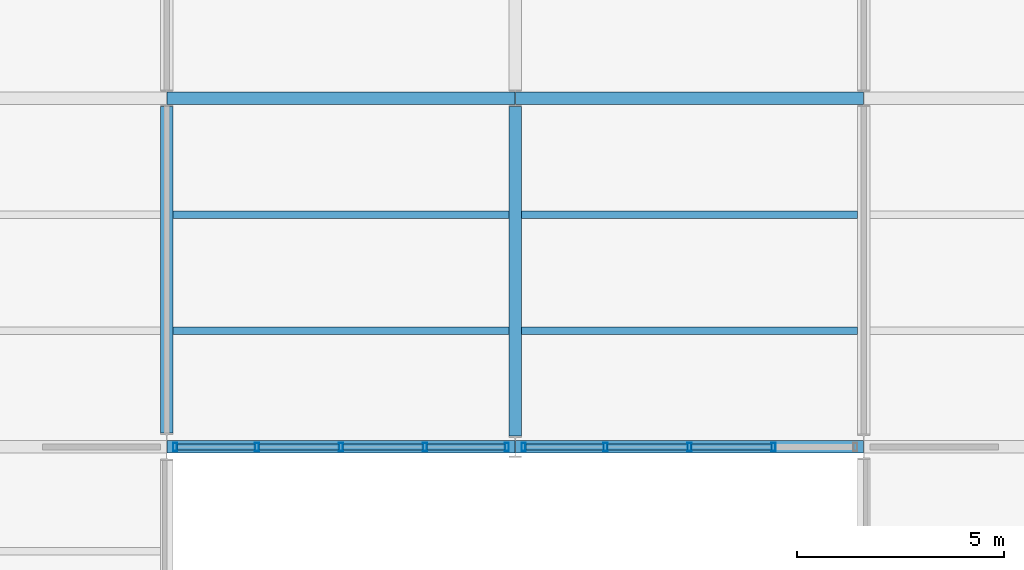
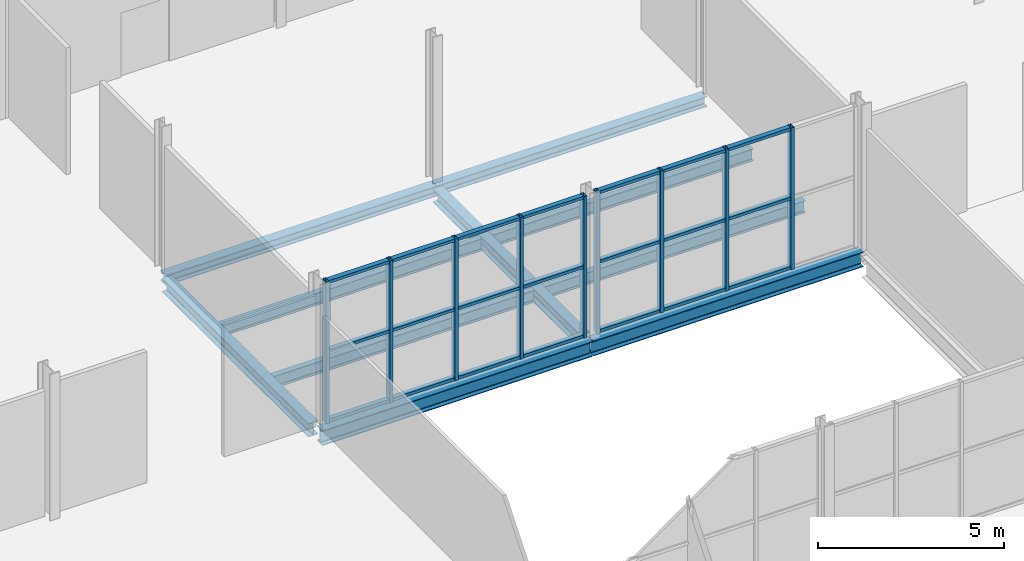
# One storey, part 14 of 57: 30 members, 10 beams, 2 elements without a shape of their own.
"""IFC4 building model written with IfcOpenShell, lengths in metres."""

from ifc_helpers import new_model, si_unit, direction, frame, origin, origin_2d, place, context, subcontext, project, spatial, hollow_rectangle, i_section, extrude, material, layer, layer_set, material_profile, profile_set, type_object, element, aggregate, save


model = new_model("IFC4")

# Units and contexts
model_context = context("Model", 3, precision=1e-05, world=origin(), true_north=direction((0.0, 1.0)))
body_context = subcontext(model_context, "Body", "Model", "MODEL_VIEW")
ifc_project = project(units=[si_unit("LENGTHUNIT", "METRE"), si_unit("AREAUNIT", "SQUARE_METRE"), si_unit("VOLUMEUNIT", "CUBIC_METRE"), si_unit("PLANEANGLEUNIT", "RADIAN"), si_unit("MASSUNIT", "GRAM", prefix="KILO")], contexts=[model_context])

# Site, building, storey
site_placement = place(None, origin())
site = spatial("IfcSite", under=ifc_project, at=site_placement, CompositionType="ELEMENT")
building_placement = place(site_placement, origin())
building = spatial("IfcBuilding", under=site, at=building_placement, Name="Galleria Vessillo Department Store", CompositionType="ELEMENT")
storey_placement = place(building_placement, frame((0.0, 0.0, 21.0)))
storey = spatial("IfcBuildingStorey", under=building, at=storey_placement, Name="L04", CompositionType="ELEMENT", Elevation=21.0)

# Beams
ifc_material_1 = material(Name="Steel S355 J2", Category="steel")
ifc_material_profile_1 = material_profile(ifc_material_1, i_section(OverallWidth=0.300048828125, OverallDepth=0.43994140625, WebThickness=0.011474609375, FlangeThickness=0.02099609375, FilletRadius=0.027099609375, at=origin_2d()), Name="HEA 450")
ifc_profile_set_1 = profile_set([ifc_material_profile_1], Name="Steel S355 J2")
beam_type_1 = type_object("IfcBeamType", Name="Floor girder HEA 450", PredefinedType="BEAM", material=ifc_profile_set_1)
beam_1_placement = place(storey_placement, frame((16.800048828125, 38.134033203125, -0.369873046875), z_axis=(0.0, 1.0, 0.0), x_axis=(-1.0, 0.0, 0.0)))
element("IfcBeam", 1, at=beam_1_placement, inside=storey, type_object=beam_type_1, Name="S-BM-L04-GI-y16800-38134", PredefinedType="BEAM", context=body_context, shape_type="SweptSolid", body=[
    extrude(i_section(OverallWidth=0.300048828125, OverallDepth=0.43994140625, WebThickness=0.011474609375, FlangeThickness=0.02099609375, FilletRadius=0.027099609375, at=origin_2d()), origin(), (0.0, 0.0, 1.0), 7.86572265625),
])
beam_2_placement = place(storey_placement, frame((25.199951171875, 38.06201171875, -0.369873046875), z_axis=(0.0, 1.0, 0.0), x_axis=(-1.0, 0.0, 0.0)))
element("IfcBeam", 2, at=beam_2_placement, inside=storey, type_object=beam_type_1, Name="S-BM-L04-GI-y25200-38062", PredefinedType="BEAM", context=body_context, shape_type="SweptSolid", body=[
    extrude(i_section(OverallWidth=0.300048828125, OverallDepth=0.43994140625, WebThickness=0.011474609375, FlangeThickness=0.02099609375, FilletRadius=0.027099609375, at=origin_2d()), origin(), (0.0, 0.0, 1.0), 7.937744140625),
])
ifc_material_2 = material(Name="Steel S355 J2", Category="steel")
ifc_material_profile_2 = material_profile(ifc_material_2, i_section(OverallWidth=0.179931640625, OverallDepth=0.39990234375, WebThickness=0.008544921875, FlangeThickness=0.013427734375, FilletRadius=0.02099609375, at=origin_2d()), Name="IPE 400")
ifc_profile_set_2 = profile_set([ifc_material_profile_2], Name="Steel S355 J2")
beam_type_2 = type_object("IfcBeamType", Name="Floor joist IPE 400", PredefinedType="JOIST", material=ifc_profile_set_2)
for number, where, z_axis, x_axis, name in (
    (3, (16.9501953125, 40.60009765625, -0.349853515625), (1.0, 0.0, 0.0), (0.0, 1.0, 0.0), "S-BM-L04-JO-x40600-16950"),
    (4, (16.9501953125, 43.39990234375, -0.349853515625), (1.0, 0.0, 0.0), (0.0, 1.0, 0.0), "S-BM-L04-JO-x43400-16950"),
):
    element("IfcBeam", number, at=place(storey_placement, frame(where, z_axis=z_axis, x_axis=x_axis)), inside=storey, type_object=beam_type_2, Name=name, PredefinedType="JOIST", context=body_context, shape_type="SweptSolid", body=[
        extrude(i_section(OverallWidth=0.179931640625, OverallDepth=0.39990234375, WebThickness=0.008544921875, FlangeThickness=0.013427734375, FilletRadius=0.02099609375, at=origin_2d()), origin(), (0.0, 0.0, 1.0), 8.099609375),
    ])
for number, where, z_axis, x_axis, name in (
    (5, (25.35009765625, 40.60009765625, -0.349853515625), (1.0, 0.0, 0.0), (0.0, 1.0, 0.0), "S-BM-L04-JO-x40600-25350"),
    (6, (25.35009765625, 43.39990234375, -0.349853515625), (1.0, 0.0, 0.0), (0.0, 1.0, 0.0), "S-BM-L04-JO-x43400-25350"),
):
    element("IfcBeam", number, at=place(storey_placement, frame(where, z_axis=z_axis, x_axis=x_axis)), inside=storey, type_object=beam_type_2, Name=name, PredefinedType="JOIST", context=body_context, shape_type="SweptSolid", body=[
        extrude(i_section(OverallWidth=0.179931640625, OverallDepth=0.39990234375, WebThickness=0.008544921875, FlangeThickness=0.013427734375, FilletRadius=0.02099609375, at=origin_2d()), origin(), (0.0, 0.0, 1.0), 8.099853515625),
    ])
ifc_material_3 = material(Name="Steel S355 J2", Category="steel")
ifc_material_profile_3 = material_profile(ifc_material_3, i_section(OverallWidth=0.300048828125, OverallDepth=0.330078125, WebThickness=0.009521484375, FlangeThickness=0.0166015625, FilletRadius=0.027099609375, at=origin_2d()), Name="HEA 340")
ifc_profile_set_3 = profile_set([ifc_material_profile_3], Name="Steel S355 J2")
beam_type_3 = type_object("IfcBeamType", Name="Floor tie girder HEA 340", PredefinedType="BEAM", material=ifc_profile_set_3)
for number, where, z_axis, x_axis, name in (
    (7, (16.806884765625, 46.199951171875, -0.31494140625), (1.0, 0.0, 0.0), (0.0, 1.0, 0.0), "S-BM-L04-TI-x46200-16807"),
    (8, (25.206787109375, 46.199951171875, -0.31494140625), (1.0, 0.0, 0.0), (0.0, 1.0, 0.0), "S-BM-L04-TI-x46200-25207"),
):
    element("IfcBeam", number, at=place(storey_placement, frame(where, z_axis=z_axis, x_axis=x_axis)), inside=storey, type_object=beam_type_3, Name=name, PredefinedType="BEAM", context=body_context, shape_type="SweptSolid", body=[
        extrude(i_section(OverallWidth=0.300048828125, OverallDepth=0.330078125, WebThickness=0.009521484375, FlangeThickness=0.0166015625, FilletRadius=0.027099609375, at=origin_2d()), origin(), (0.0, 0.0, 1.0), 8.38623046875),
    ])

# Curtain wall, members
ifc_material_4 = material(Name="Steel and fire-resisting glass curtain wall", Category="steel")
ifc_layer = layer(ifc_material_4, 0.199951171875)
ifc_layer_set = layer_set([ifc_layer], Name="Steel and fire-resisting glass curtain wall")
curtain_wall_type = type_object("IfcCurtainWallType", Name="Arcade fire-resisting glazed shopfront EI 120-Sa", PredefinedType="NOTDEFINED", material=ifc_layer_set)
curtain_wall_1_placement = place(storey_placement, origin())
curtain_wall_1 = element("IfcCurtainWall", 9, at=curtain_wall_1_placement, inside=storey, type_object=curtain_wall_type, Name="Arcade fire-resisting glazed shopfront EI 120-Sa AI-AW-N-L04-01", PredefinedType="NOTDEFINED")
ifc_material_5 = material(Name="Steel S355 J2", Category="steel")
ifc_material_profile_4 = material_profile(ifc_material_5, hollow_rectangle(XDim=0.199951171875, YDim=0.10009765625, WallThickness=0.008056640625, at=origin_2d()), Name="RHS 200x100x8")
ifc_profile_set_4 = profile_set([ifc_material_profile_4], Name="Steel S355 J2")
member_type_1 = type_object("IfcMemberType", Name="Steel mullion RHS 200x100x8", PredefinedType="MULLION", material=ifc_profile_set_4)
member_1_placement = place(storey_placement, frame((17.002685546875, 37.800048828125, 0.0), z_axis=(0.0, 0.0, 1.0), x_axis=(0.0, 1.0, 0.0)))
member_1 = element("IfcMember", 10, at=member_1_placement, type_object=member_type_1, Name="CW7 mullion 1", PredefinedType="MULLION", context=body_context, shape_type="SweptSolid", body=[
    extrude(hollow_rectangle(XDim=0.199951171875, YDim=0.10009765625, WallThickness=0.008056640625, at=origin_2d()), origin(), (0.0, 0.0, 1.0), 4.650146484375),
])
member_2_placement = place(storey_placement, frame((18.97607421875, 37.800048828125, 0.0), z_axis=(0.0, 0.0, 1.0), x_axis=(0.0, 1.0, 0.0)))
member_2 = element("IfcMember", 11, at=member_2_placement, type_object=member_type_1, Name="CW7 mullion 2", PredefinedType="MULLION", context=body_context, shape_type="SweptSolid", body=[
    extrude(hollow_rectangle(XDim=0.199951171875, YDim=0.10009765625, WallThickness=0.008056640625, at=origin_2d()), origin(), (0.0, 0.0, 1.0), 4.650146484375),
])
member_3_placement = place(storey_placement, frame((20.999755859375, 37.800048828125, 0.0), z_axis=(0.0, 0.0, 1.0), x_axis=(0.0, 1.0, 0.0)))
member_3 = element("IfcMember", 12, at=member_3_placement, type_object=member_type_1, Name="CW7 mullion 3", PredefinedType="MULLION", context=body_context, shape_type="SweptSolid", body=[
    extrude(hollow_rectangle(XDim=0.199951171875, YDim=0.10009765625, WallThickness=0.008056640625, at=origin_2d()), origin(), (0.0, 0.0, 1.0), 4.650146484375),
])
member_4_placement = place(storey_placement, frame((23.0234375, 37.800048828125, 0.0), z_axis=(0.0, 0.0, 1.0), x_axis=(0.0, 1.0, 0.0)))
member_4 = element("IfcMember", 13, at=member_4_placement, type_object=member_type_1, Name="CW7 mullion 4", PredefinedType="MULLION", context=body_context, shape_type="SweptSolid", body=[
    extrude(hollow_rectangle(XDim=0.199951171875, YDim=0.10009765625, WallThickness=0.008056640625, at=origin_2d()), origin(), (0.0, 0.0, 1.0), 4.650146484375),
])
member_5_placement = place(storey_placement, frame((24.996826171875, 37.800048828125, 0.0), z_axis=(0.0, 0.0, 1.0), x_axis=(0.0, 1.0, 0.0)))
member_5 = element("IfcMember", 14, at=member_5_placement, type_object=member_type_1, Name="CW7 mullion 5", PredefinedType="MULLION", context=body_context, shape_type="SweptSolid", body=[
    extrude(hollow_rectangle(XDim=0.199951171875, YDim=0.10009765625, WallThickness=0.008056640625, at=origin_2d()), origin(), (0.0, 0.0, 1.0), 4.650146484375),
])

curtain_wall_2_placement = place(storey_placement, origin())
curtain_wall_2 = element("IfcCurtainWall", 15, at=curtain_wall_2_placement, inside=storey, type_object=curtain_wall_type, Name="Arcade fire-resisting glazed shopfront EI 120-Sa AI-AW-N-L04-02", PredefinedType="NOTDEFINED")
member_6_placement = place(storey_placement, frame((25.403076171875, 37.800048828125, 0.0), z_axis=(0.0, 0.0, 1.0), x_axis=(0.0, 1.0, 0.0)))
member_6 = element("IfcMember", 16, at=member_6_placement, type_object=member_type_1, Name="CW7 mullion 1", PredefinedType="MULLION", context=body_context, shape_type="SweptSolid", body=[
    extrude(hollow_rectangle(XDim=0.199951171875, YDim=0.10009765625, WallThickness=0.008056640625, at=origin_2d()), origin(), (0.0, 0.0, 1.0), 4.650146484375),
])
member_7_placement = place(storey_placement, frame((27.376708984375, 37.800048828125, 0.0), z_axis=(0.0, 0.0, 1.0), x_axis=(0.0, 1.0, 0.0)))
member_7 = element("IfcMember", 17, at=member_7_placement, type_object=member_type_1, Name="CW7 mullion 2", PredefinedType="MULLION", context=body_context, shape_type="SweptSolid", body=[
    extrude(hollow_rectangle(XDim=0.199951171875, YDim=0.10009765625, WallThickness=0.008056640625, at=origin_2d()), origin(), (0.0, 0.0, 1.0), 4.650146484375),
])
member_8_placement = place(storey_placement, frame((29.400390625, 37.800048828125, 0.0), z_axis=(0.0, 0.0, 1.0), x_axis=(0.0, 1.0, 0.0)))
member_8 = element("IfcMember", 18, at=member_8_placement, type_object=member_type_1, Name="CW7 mullion 3", PredefinedType="MULLION", context=body_context, shape_type="SweptSolid", body=[
    extrude(hollow_rectangle(XDim=0.199951171875, YDim=0.10009765625, WallThickness=0.008056640625, at=origin_2d()), origin(), (0.0, 0.0, 1.0), 4.650146484375),
])
member_9_placement = place(storey_placement, frame((31.423828125, 37.800048828125, 0.0), z_axis=(0.0, 0.0, 1.0), x_axis=(0.0, 1.0, 0.0)))
member_9 = element("IfcMember", 19, at=member_9_placement, type_object=member_type_1, Name="CW7 mullion 4", PredefinedType="MULLION", context=body_context, shape_type="SweptSolid", body=[
    extrude(hollow_rectangle(XDim=0.199951171875, YDim=0.10009765625, WallThickness=0.008056640625, at=origin_2d()), origin(), (0.0, 0.0, 1.0), 4.650146484375),
])

# Member
ifc_material_6 = material(Name="Steel S355 J2", Category="steel")
ifc_material_profile_5 = material_profile(ifc_material_6, hollow_rectangle(XDim=0.14990234375, YDim=0.10009765625, WallThickness=0.008056640625, at=origin_2d()), Name="RHS 150x100x8")
ifc_profile_set_5 = profile_set([ifc_material_profile_5], Name="Steel S355 J2")
member_type_2 = type_object("IfcMemberType", Name="Steel transom RHS 150x100x8", PredefinedType="USERDEFINED", material=ifc_profile_set_5)
member_10_placement = place(storey_placement, frame((17.052734375, 37.800048828125, 0.050048828125), z_axis=(1.0, 0.0, 0.0), x_axis=(0.0, 1.0, 0.0)))
member_10 = element("IfcMember", 20, at=member_10_placement, type_object=member_type_2, Name="CW7 transom 1.1", ObjectType="TRANSOM", PredefinedType="USERDEFINED", context=body_context, shape_type="SweptSolid", body=[
    extrude(hollow_rectangle(XDim=0.14990234375, YDim=0.10009765625, WallThickness=0.008056640625, at=origin_2d()), origin(), (0.0, 0.0, 1.0), 1.87353515625),
])

member_11_placement = place(storey_placement, frame((17.052734375, 37.800048828125, 2.3251953125), z_axis=(1.0, 0.0, 0.0), x_axis=(0.0, 1.0, 0.0)))
member_11 = element("IfcMember", 21, at=member_11_placement, type_object=member_type_2, Name="CW7 transom 1.2", ObjectType="TRANSOM", PredefinedType="USERDEFINED", context=body_context, shape_type="SweptSolid", body=[
    extrude(hollow_rectangle(XDim=0.14990234375, YDim=0.10009765625, WallThickness=0.008056640625, at=origin_2d()), origin(), (0.0, 0.0, 1.0), 1.87353515625),
])

member_12_placement = place(storey_placement, frame((17.052734375, 37.800048828125, 4.60009765625), z_axis=(1.0, 0.0, 0.0), x_axis=(0.0, 1.0, 0.0)))
member_12 = element("IfcMember", 22, at=member_12_placement, type_object=member_type_2, Name="CW7 transom 1.3", ObjectType="TRANSOM", PredefinedType="USERDEFINED", context=body_context, shape_type="SweptSolid", body=[
    extrude(hollow_rectangle(XDim=0.14990234375, YDim=0.10009765625, WallThickness=0.008056640625, at=origin_2d()), origin(), (0.0, 0.0, 1.0), 1.87353515625),
])

member_13_placement = place(storey_placement, frame((19.026123046875, 37.800048828125, 0.050048828125), z_axis=(1.0, 0.0, 0.0), x_axis=(0.0, 1.0, 0.0)))
member_13 = element("IfcMember", 23, at=member_13_placement, type_object=member_type_2, Name="CW7 transom 2.1", ObjectType="TRANSOM", PredefinedType="USERDEFINED", context=body_context, shape_type="SweptSolid", body=[
    extrude(hollow_rectangle(XDim=0.14990234375, YDim=0.10009765625, WallThickness=0.008056640625, at=origin_2d()), origin(), (0.0, 0.0, 1.0), 1.923583984375),
])

member_14_placement = place(storey_placement, frame((19.026123046875, 37.800048828125, 2.3251953125), z_axis=(1.0, 0.0, 0.0), x_axis=(0.0, 1.0, 0.0)))
member_14 = element("IfcMember", 24, at=member_14_placement, type_object=member_type_2, Name="CW7 transom 2.2", ObjectType="TRANSOM", PredefinedType="USERDEFINED", context=body_context, shape_type="SweptSolid", body=[
    extrude(hollow_rectangle(XDim=0.14990234375, YDim=0.10009765625, WallThickness=0.008056640625, at=origin_2d()), origin(), (0.0, 0.0, 1.0), 1.923583984375),
])

member_15_placement = place(storey_placement, frame((19.026123046875, 37.800048828125, 4.60009765625), z_axis=(1.0, 0.0, 0.0), x_axis=(0.0, 1.0, 0.0)))
member_15 = element("IfcMember", 25, at=member_15_placement, type_object=member_type_2, Name="CW7 transom 2.3", ObjectType="TRANSOM", PredefinedType="USERDEFINED", context=body_context, shape_type="SweptSolid", body=[
    extrude(hollow_rectangle(XDim=0.14990234375, YDim=0.10009765625, WallThickness=0.008056640625, at=origin_2d()), origin(), (0.0, 0.0, 1.0), 1.923583984375),
])

member_16_placement = place(storey_placement, frame((21.0498046875, 37.800048828125, 0.050048828125), z_axis=(1.0, 0.0, 0.0), x_axis=(0.0, 1.0, 0.0)))
member_16 = element("IfcMember", 26, at=member_16_placement, type_object=member_type_2, Name="CW7 transom 3.1", ObjectType="TRANSOM", PredefinedType="USERDEFINED", context=body_context, shape_type="SweptSolid", body=[
    extrude(hollow_rectangle(XDim=0.14990234375, YDim=0.10009765625, WallThickness=0.008056640625, at=origin_2d()), origin(), (0.0, 0.0, 1.0), 1.923583984375),
])

member_17_placement = place(storey_placement, frame((21.0498046875, 37.800048828125, 2.3251953125), z_axis=(1.0, 0.0, 0.0), x_axis=(0.0, 1.0, 0.0)))
member_17 = element("IfcMember", 27, at=member_17_placement, type_object=member_type_2, Name="CW7 transom 3.2", ObjectType="TRANSOM", PredefinedType="USERDEFINED", context=body_context, shape_type="SweptSolid", body=[
    extrude(hollow_rectangle(XDim=0.14990234375, YDim=0.10009765625, WallThickness=0.008056640625, at=origin_2d()), origin(), (0.0, 0.0, 1.0), 1.923583984375),
])

member_18_placement = place(storey_placement, frame((21.0498046875, 37.800048828125, 4.60009765625), z_axis=(1.0, 0.0, 0.0), x_axis=(0.0, 1.0, 0.0)))
member_18 = element("IfcMember", 28, at=member_18_placement, type_object=member_type_2, Name="CW7 transom 3.3", ObjectType="TRANSOM", PredefinedType="USERDEFINED", context=body_context, shape_type="SweptSolid", body=[
    extrude(hollow_rectangle(XDim=0.14990234375, YDim=0.10009765625, WallThickness=0.008056640625, at=origin_2d()), origin(), (0.0, 0.0, 1.0), 1.923583984375),
])

member_19_placement = place(storey_placement, frame((23.0732421875, 37.800048828125, 0.050048828125), z_axis=(1.0, 0.0, 0.0), x_axis=(0.0, 1.0, 0.0)))
member_19 = element("IfcMember", 29, at=member_19_placement, type_object=member_type_2, Name="CW7 transom 4.1", ObjectType="TRANSOM", PredefinedType="USERDEFINED", context=body_context, shape_type="SweptSolid", body=[
    extrude(hollow_rectangle(XDim=0.14990234375, YDim=0.10009765625, WallThickness=0.008056640625, at=origin_2d()), origin(), (0.0, 0.0, 1.0), 1.87353515625),
])

member_20_placement = place(storey_placement, frame((23.0732421875, 37.800048828125, 2.3251953125), z_axis=(1.0, 0.0, 0.0), x_axis=(0.0, 1.0, 0.0)))
member_20 = element("IfcMember", 30, at=member_20_placement, type_object=member_type_2, Name="CW7 transom 4.2", ObjectType="TRANSOM", PredefinedType="USERDEFINED", context=body_context, shape_type="SweptSolid", body=[
    extrude(hollow_rectangle(XDim=0.14990234375, YDim=0.10009765625, WallThickness=0.008056640625, at=origin_2d()), origin(), (0.0, 0.0, 1.0), 1.87353515625),
])

member_21_placement = place(storey_placement, frame((23.0732421875, 37.800048828125, 4.60009765625), z_axis=(1.0, 0.0, 0.0), x_axis=(0.0, 1.0, 0.0)))
member_21 = element("IfcMember", 31, at=member_21_placement, type_object=member_type_2, Name="CW7 transom 4.3", ObjectType="TRANSOM", PredefinedType="USERDEFINED", context=body_context, shape_type="SweptSolid", body=[
    extrude(hollow_rectangle(XDim=0.14990234375, YDim=0.10009765625, WallThickness=0.008056640625, at=origin_2d()), origin(), (0.0, 0.0, 1.0), 1.87353515625),
])

aggregate(curtain_wall_1, [member_1, member_2, member_3, member_4, member_5, member_10, member_11, member_12, member_13, member_14, member_15, member_16, member_17, member_18, member_19, member_20, member_21])

member_22_placement = place(storey_placement, frame((25.453125, 37.800048828125, 0.050048828125), z_axis=(1.0, 0.0, 0.0), x_axis=(0.0, 1.0, 0.0)))
member_22 = element("IfcMember", 32, at=member_22_placement, type_object=member_type_2, Name="CW7 transom 1.1", ObjectType="TRANSOM", PredefinedType="USERDEFINED", context=body_context, shape_type="SweptSolid", body=[
    extrude(hollow_rectangle(XDim=0.14990234375, YDim=0.10009765625, WallThickness=0.008056640625, at=origin_2d()), origin(), (0.0, 0.0, 1.0), 1.87353515625),
])

member_23_placement = place(storey_placement, frame((25.453125, 37.800048828125, 2.3251953125), z_axis=(1.0, 0.0, 0.0), x_axis=(0.0, 1.0, 0.0)))
member_23 = element("IfcMember", 33, at=member_23_placement, type_object=member_type_2, Name="CW7 transom 1.2", ObjectType="TRANSOM", PredefinedType="USERDEFINED", context=body_context, shape_type="SweptSolid", body=[
    extrude(hollow_rectangle(XDim=0.14990234375, YDim=0.10009765625, WallThickness=0.008056640625, at=origin_2d()), origin(), (0.0, 0.0, 1.0), 1.87353515625),
])

member_24_placement = place(storey_placement, frame((25.453125, 37.800048828125, 4.60009765625), z_axis=(1.0, 0.0, 0.0), x_axis=(0.0, 1.0, 0.0)))
member_24 = element("IfcMember", 34, at=member_24_placement, type_object=member_type_2, Name="CW7 transom 1.3", ObjectType="TRANSOM", PredefinedType="USERDEFINED", context=body_context, shape_type="SweptSolid", body=[
    extrude(hollow_rectangle(XDim=0.14990234375, YDim=0.10009765625, WallThickness=0.008056640625, at=origin_2d()), origin(), (0.0, 0.0, 1.0), 1.87353515625),
])

member_25_placement = place(storey_placement, frame((27.4267578125, 37.800048828125, 0.050048828125), z_axis=(1.0, 0.0, 0.0), x_axis=(0.0, 1.0, 0.0)))
member_25 = element("IfcMember", 35, at=member_25_placement, type_object=member_type_2, Name="CW7 transom 2.1", ObjectType="TRANSOM", PredefinedType="USERDEFINED", context=body_context, shape_type="SweptSolid", body=[
    extrude(hollow_rectangle(XDim=0.14990234375, YDim=0.10009765625, WallThickness=0.008056640625, at=origin_2d()), origin(), (0.0, 0.0, 1.0), 1.923583984375),
])

member_26_placement = place(storey_placement, frame((27.4267578125, 37.800048828125, 2.3251953125), z_axis=(1.0, 0.0, 0.0), x_axis=(0.0, 1.0, 0.0)))
member_26 = element("IfcMember", 36, at=member_26_placement, type_object=member_type_2, Name="CW7 transom 2.2", ObjectType="TRANSOM", PredefinedType="USERDEFINED", context=body_context, shape_type="SweptSolid", body=[
    extrude(hollow_rectangle(XDim=0.14990234375, YDim=0.10009765625, WallThickness=0.008056640625, at=origin_2d()), origin(), (0.0, 0.0, 1.0), 1.923583984375),
])

member_27_placement = place(storey_placement, frame((27.4267578125, 37.800048828125, 4.60009765625), z_axis=(1.0, 0.0, 0.0), x_axis=(0.0, 1.0, 0.0)))
member_27 = element("IfcMember", 37, at=member_27_placement, type_object=member_type_2, Name="CW7 transom 2.3", ObjectType="TRANSOM", PredefinedType="USERDEFINED", context=body_context, shape_type="SweptSolid", body=[
    extrude(hollow_rectangle(XDim=0.14990234375, YDim=0.10009765625, WallThickness=0.008056640625, at=origin_2d()), origin(), (0.0, 0.0, 1.0), 1.923583984375),
])

member_28_placement = place(storey_placement, frame((29.4501953125, 37.800048828125, 0.050048828125), z_axis=(1.0, 0.0, 0.0), x_axis=(0.0, 1.0, 0.0)))
member_28 = element("IfcMember", 38, at=member_28_placement, type_object=member_type_2, Name="CW7 transom 3.1", ObjectType="TRANSOM", PredefinedType="USERDEFINED", context=body_context, shape_type="SweptSolid", body=[
    extrude(hollow_rectangle(XDim=0.14990234375, YDim=0.10009765625, WallThickness=0.008056640625, at=origin_2d()), origin(), (0.0, 0.0, 1.0), 1.923583984375),
])

member_29_placement = place(storey_placement, frame((29.4501953125, 37.800048828125, 2.3251953125), z_axis=(1.0, 0.0, 0.0), x_axis=(0.0, 1.0, 0.0)))
member_29 = element("IfcMember", 39, at=member_29_placement, type_object=member_type_2, Name="CW7 transom 3.2", ObjectType="TRANSOM", PredefinedType="USERDEFINED", context=body_context, shape_type="SweptSolid", body=[
    extrude(hollow_rectangle(XDim=0.14990234375, YDim=0.10009765625, WallThickness=0.008056640625, at=origin_2d()), origin(), (0.0, 0.0, 1.0), 1.923583984375),
])

member_30_placement = place(storey_placement, frame((29.4501953125, 37.800048828125, 4.60009765625), z_axis=(1.0, 0.0, 0.0), x_axis=(0.0, 1.0, 0.0)))
member_30 = element("IfcMember", 40, at=member_30_placement, type_object=member_type_2, Name="CW7 transom 3.3", ObjectType="TRANSOM", PredefinedType="USERDEFINED", context=body_context, shape_type="SweptSolid", body=[
    extrude(hollow_rectangle(XDim=0.14990234375, YDim=0.10009765625, WallThickness=0.008056640625, at=origin_2d()), origin(), (0.0, 0.0, 1.0), 1.923583984375),
])

aggregate(curtain_wall_2, [member_6, member_7, member_8, member_9, member_22, member_23, member_24, member_25, member_26, member_27, member_28, member_29, member_30])

# Beams
ifc_material_7 = material(Name="Steel S355 J2", Category="steel")
ifc_material_profile_6 = material_profile(ifc_material_7, i_section(OverallWidth=0.300048828125, OverallDepth=0.489990234375, WebThickness=0.011962890625, FlangeThickness=0.02294921875, FilletRadius=0.027099609375, at=origin_2d()), Name="HEA 500")
ifc_profile_set_6 = profile_set([ifc_material_profile_6], Name="Steel S355 J2")
beam_type_4 = type_object("IfcBeamType", Name="Trimmer beam HEA 500", PredefinedType="BEAM", material=ifc_profile_set_6)
beam_3_placement = place(storey_placement, frame((16.810546875, 37.800048828125, -0.39501953125), z_axis=(1.0, 0.0, 0.0), x_axis=(0.0, 1.0, 0.0)))
element("IfcBeam", 41, at=beam_3_placement, inside=storey, type_object=beam_type_4, Name="S-BM-L04-TR-x37800-16811", PredefinedType="BEAM", context=body_context, shape_type="SweptSolid", body=[
    extrude(i_section(OverallWidth=0.300048828125, OverallDepth=0.489990234375, WebThickness=0.011962890625, FlangeThickness=0.02294921875, FilletRadius=0.027099609375, at=origin_2d()), origin(), (0.0, 0.0, 1.0), 8.37890625),
])
beam_4_placement = place(storey_placement, frame((25.210693359375, 37.800048828125, -0.39501953125), z_axis=(1.0, 0.0, 0.0), x_axis=(0.0, 1.0, 0.0)))
element("IfcBeam", 42, at=beam_4_placement, inside=storey, type_object=beam_type_4, Name="S-BM-L04-TR-x37800-25211", PredefinedType="BEAM", context=body_context, shape_type="SweptSolid", body=[
    extrude(i_section(OverallWidth=0.300048828125, OverallDepth=0.489990234375, WebThickness=0.011962890625, FlangeThickness=0.02294921875, FilletRadius=0.027099609375, at=origin_2d()), origin(), (0.0, 0.0, 1.0), 8.378662109375),
])

save(model, "model.ifc")
